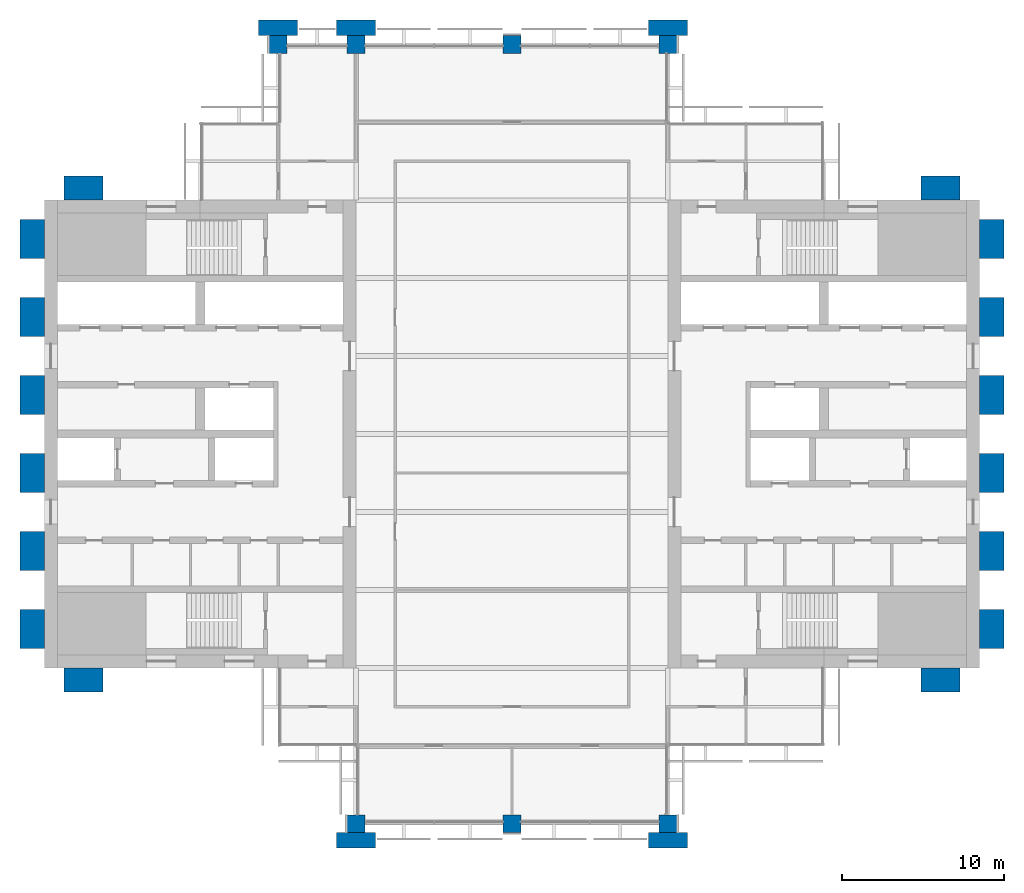
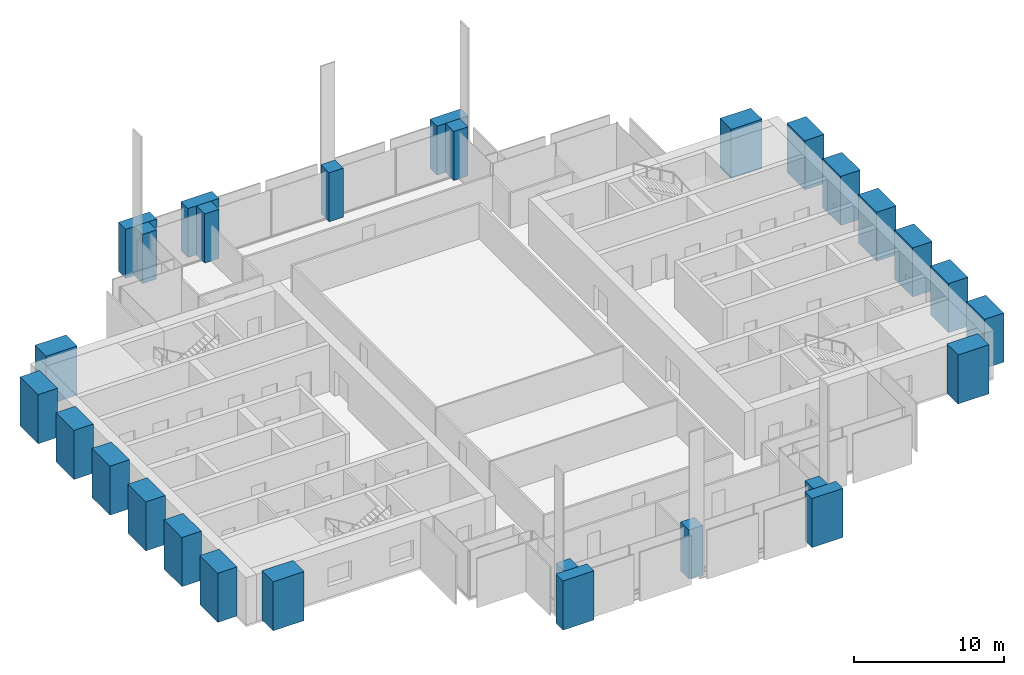
# One storey, part 1 of 13: 28 columns.
"""IFC4 building model written with IfcOpenShell, lengths in metres."""

from ifc_helpers import new_model, si_unit, direction, frame, origin, origin_2d, place, context, subcontext, project, spatial, rectangle, extrude, material, material_profile, profile_set, type_object, element, save


model = new_model("IFC4")

# Units and contexts
model_context = context("Model", 3, precision=1e-05, world=origin(), true_north=direction((0.0, 1.0)))
body_context = subcontext(model_context, "Body", "Model", "MODEL_VIEW")
ifc_project = project(units=[si_unit("LENGTHUNIT", "METRE"), si_unit("AREAUNIT", "SQUARE_METRE"), si_unit("VOLUMEUNIT", "CUBIC_METRE"), si_unit("PLANEANGLEUNIT", "RADIAN"), si_unit("MASSUNIT", "GRAM", prefix="KILO")], contexts=[model_context])

# Site, building, storey
site_placement = place(None, origin())
site = spatial("IfcSite", under=ifc_project, at=site_placement, CompositionType="ELEMENT")
building_placement = place(site_placement, origin())
building = spatial("IfcBuilding", under=site, at=building_placement, Name="Baori Bourse Tower", CompositionType="ELEMENT")
storey_placement = place(building_placement, frame((0.0, 0.0, 213.199951171875)))
storey = spatial("IfcBuildingStorey", under=building, at=storey_placement, Name="L46", CompositionType="ELEMENT", Elevation=213.199951171875)

# Columns
ifc_material_1 = material(Name="Concrete f'c 60 MPa", Category="concrete")
ifc_material_profile_1 = material_profile(ifc_material_1, rectangle(XDim=2.39990234375, YDim=0.949951171875, at=origin_2d()), Name="RC 2400x950")
ifc_profile_set_1 = profile_set([ifc_material_profile_1], Name="Concrete f'c 60 MPa")
column_type_1 = type_object("IfcColumnType", Name="FN3 Brick pilaster 2400x950", PredefinedType="PILASTER", material=ifc_profile_set_1)
for number, where, z_axis, x_axis, name in (
    (1, (19.199951171875, -1.02490234375, 0.0), (0.0, 0.0, 1.0), (1.0, 0.0, 0.0), "Brick pilaster L46 17"),
    (2, (38.39990234375, -1.02490234375, 0.0), (0.0, 0.0, 1.0), (1.0, 0.0, 0.0), "Brick pilaster L46 18"),
    (3, (14.39990234375, 49.02490234375, 0.0), (0.0, 0.0, 1.0), (1.0, 0.0, 0.0), "Brick pilaster L46 19"),
    (4, (19.199951171875, 49.02490234375, 0.0), (0.0, 0.0, 1.0), (1.0, 0.0, 0.0), "Brick pilaster L46 20"),
    (5, (38.39990234375, 49.02490234375, 0.0), (0.0, 0.0, 1.0), (1.0, 0.0, 0.0), "Brick pilaster L46 21"),
):
    element("IfcColumn", number, at=place(storey_placement, frame(where, z_axis=z_axis, x_axis=x_axis)), inside=storey, type_object=column_type_1, Name=name, PredefinedType="PILASTER", context=body_context, shape_type="SweptSolid", body=[
        extrude(rectangle(XDim=2.39990234375, YDim=0.949951171875, at=origin_2d()), origin(), (0.0, 0.0, 1.0), 4.0),
    ])
ifc_material_2 = material(Name="Concrete f'c 60 MPa", Category="concrete")
ifc_material_profile_2 = material_profile(ifc_material_2, rectangle(XDim=2.39990234375, YDim=1.5, at=origin_2d()), Name="RC 2400x1500")
ifc_profile_set_2 = profile_set([ifc_material_profile_2], Name="Concrete f'c 60 MPa")
column_type_2 = type_object("IfcColumnType", Name="FN4 Brick flank pilaster 2400x1500", PredefinedType="PILASTER", material=ifc_profile_set_2)
for number, where, z_axis, x_axis, name in (
    (6, (55.199951171875, 8.85009765625, 0.0), (0.0, 0.0, 1.0), (1.0, 0.0, 0.0), "Brick pilaster L46 1"),
    (7, (58.35009765625, 12.0, 0.0), (0.0, 0.0, 1.0), (0.0, 1.0, 0.0), "Brick pilaster L46 2"),
    (8, (58.35009765625, 16.800048828125, 0.0), (0.0, 0.0, 1.0), (0.0, 1.0, 0.0), "Brick pilaster L46 3"),
    (9, (58.35009765625, 21.60009765625, 0.0), (0.0, 0.0, 1.0), (0.0, 1.0, 0.0), "Brick pilaster L46 4"),
    (10, (58.35009765625, 26.39990234375, 0.0), (0.0, 0.0, 1.0), (0.0, 1.0, 0.0), "Brick pilaster L46 5"),
    (11, (58.35009765625, 31.199951171875, 0.0), (0.0, 0.0, 1.0), (0.0, 1.0, 0.0), "Brick pilaster L46 6"),
    (12, (58.35009765625, 36.0, 0.0), (0.0, 0.0, 1.0), (0.0, 1.0, 0.0), "Brick pilaster L46 7"),
    (13, (55.199951171875, 39.14990234375, 0.0), (0.0, 0.0, 1.0), (1.0, 0.0, 0.0), "Brick pilaster L46 8"),
    (14, (2.39990234375, 39.14990234375, 0.0), (0.0, 0.0, 1.0), (1.0, 0.0, 0.0), "Brick pilaster L46 9"),
    (15, (-0.75, 12.0, 0.0), (0.0, 0.0, 1.0), (0.0, 1.0, 0.0), "Brick pilaster L46 10"),
    (16, (-0.75, 16.800048828125, 0.0), (0.0, 0.0, 1.0), (0.0, 1.0, 0.0), "Brick pilaster L46 11"),
    (17, (-0.75, 21.60009765625, 0.0), (0.0, 0.0, 1.0), (0.0, 1.0, 0.0), "Brick pilaster L46 12"),
    (18, (-0.75, 26.39990234375, 0.0), (0.0, 0.0, 1.0), (0.0, 1.0, 0.0), "Brick pilaster L46 13"),
    (19, (-0.75, 31.199951171875, 0.0), (0.0, 0.0, 1.0), (0.0, 1.0, 0.0), "Brick pilaster L46 14"),
    (20, (-0.75, 36.0, 0.0), (0.0, 0.0, 1.0), (0.0, 1.0, 0.0), "Brick pilaster L46 15"),
    (21, (2.39990234375, 8.85009765625, 0.0), (0.0, 0.0, 1.0), (1.0, 0.0, 0.0), "Brick pilaster L46 16"),
):
    element("IfcColumn", number, at=place(storey_placement, frame(where, z_axis=z_axis, x_axis=x_axis)), inside=storey, type_object=column_type_2, Name=name, PredefinedType="PILASTER", context=body_context, shape_type="SweptSolid", body=[
        extrude(rectangle(XDim=2.39990234375, YDim=1.5, at=origin_2d()), origin(), (0.0, 0.0, 1.0), 4.0),
    ])
ifc_material_3 = material(Name="Concrete f'c 50 MPa", Category="concrete")
ifc_material_profile_3 = material_profile(ifc_material_3, rectangle(XDim=1.10009765625, YDim=1.10009765625, at=origin_2d()), Name="RC 1100x1100")
ifc_profile_set_3 = profile_set([ifc_material_profile_3], Name="Concrete f'c 50 MPa")
column_type_3 = type_object("IfcColumnType", Name="Perimeter column 50 RC 1100x1100", PredefinedType="COLUMN", material=ifc_profile_set_3)
for number, where, z_axis, x_axis, name in (
    (22, (19.199951171875, 0.0, 0.0), (0.0, 0.0, 1.0), (1.0, 0.0, 0.0), "Perimeter column L46"),
    (23, (28.800048828125, 0.0, 0.0), (0.0, 0.0, 1.0), (1.0, 0.0, 0.0), "Perimeter column L46"),
    (24, (38.39990234375, 0.0, 0.0), (0.0, 0.0, 1.0), (1.0, 0.0, 0.0), "Perimeter column L46"),
    (25, (14.39990234375, 48.0, 0.0), (0.0, 0.0, 1.0), (1.0, 0.0, 0.0), "Perimeter column L46"),
    (26, (19.199951171875, 48.0, 0.0), (0.0, 0.0, 1.0), (1.0, 0.0, 0.0), "Perimeter column L46"),
    (27, (28.800048828125, 48.0, 0.0), (0.0, 0.0, 1.0), (1.0, 0.0, 0.0), "Perimeter column L46"),
    (28, (38.39990234375, 48.0, 0.0), (0.0, 0.0, 1.0), (1.0, 0.0, 0.0), "Perimeter column L46"),
):
    element("IfcColumn", number, at=place(storey_placement, frame(where, z_axis=z_axis, x_axis=x_axis)), inside=storey, type_object=column_type_3, Name=name, PredefinedType="COLUMN", context=body_context, shape_type="SweptSolid", body=[
        extrude(rectangle(XDim=1.10009765625, YDim=1.10009765625, at=origin_2d()), origin(), (0.0, 0.0, 1.0), 4.0),
    ])

save(model, "model.ifc")
